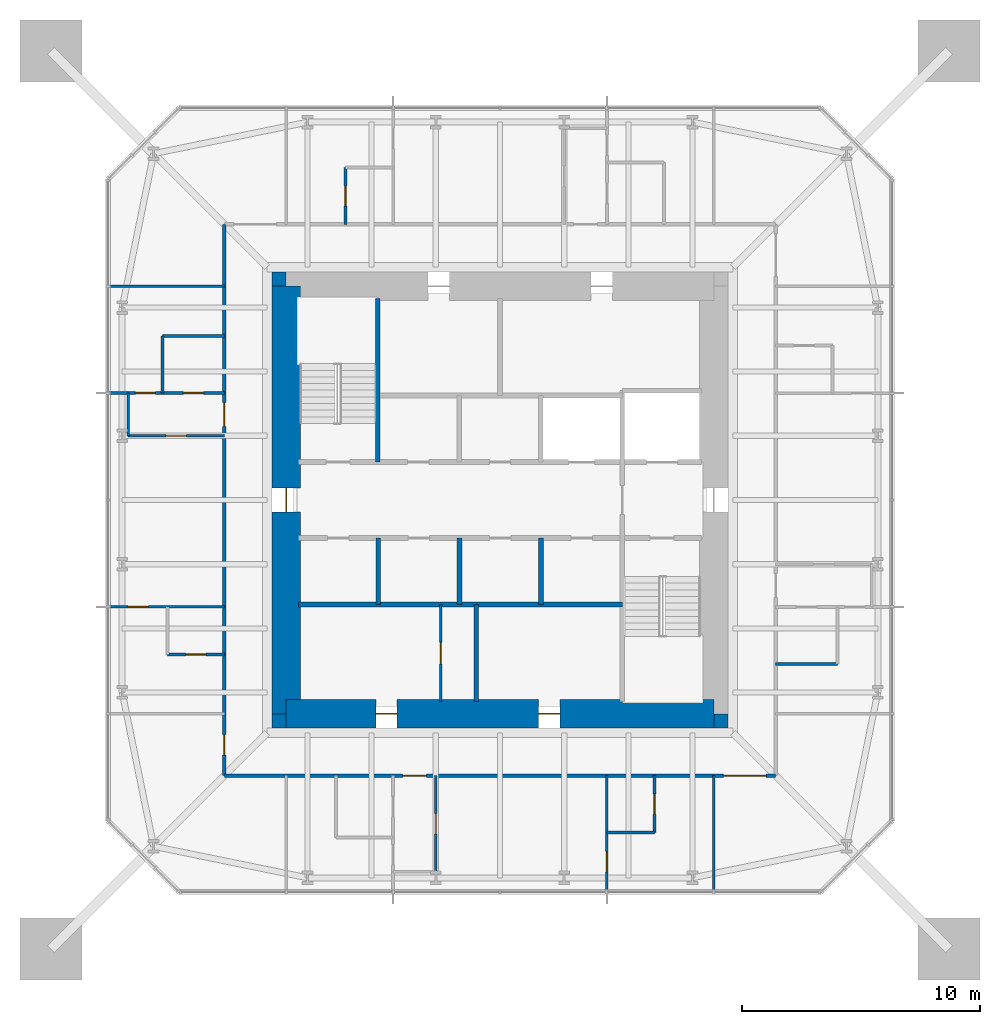
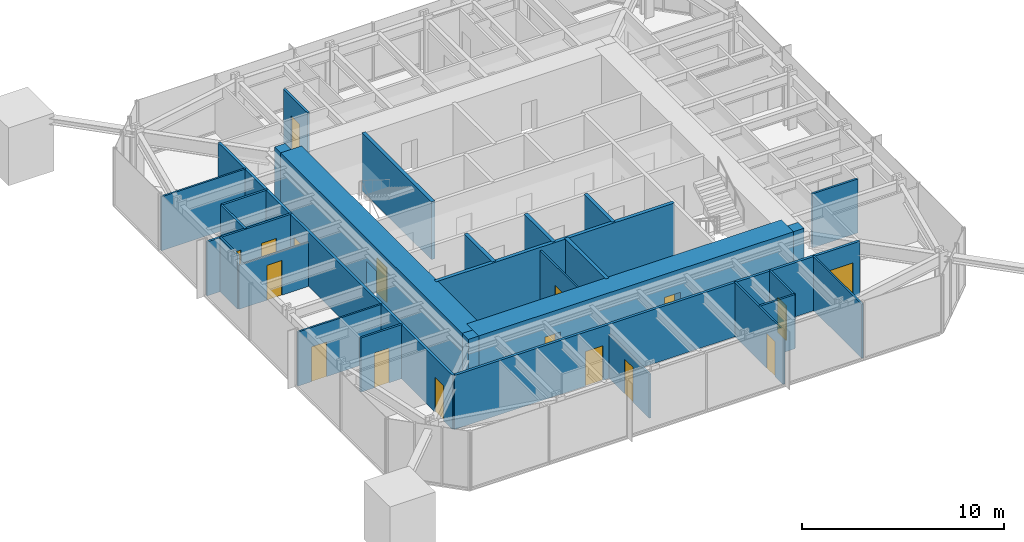
# One storey, part 6 of 9: 29 walls, 17 doors, 17 openings.
"""IFC4 building model written with IfcOpenShell, lengths in metres."""

from ifc_helpers import new_model, si_unit, direction, frame, frame_2d, origin, place, context, subcontext, project, spatial, rectangle, extrude, material, layer, layer_set, type_object, element, fill, save


model = new_model("IFC4")

# Units and contexts
model_context = context("Model", 3, precision=1e-05, world=origin(), true_north=direction((0.0, 1.0)))
body_context = subcontext(model_context, "Body", "Model", "MODEL_VIEW")
ifc_project = project(units=[si_unit("LENGTHUNIT", "METRE"), si_unit("AREAUNIT", "SQUARE_METRE"), si_unit("VOLUMEUNIT", "CUBIC_METRE"), si_unit("PLANEANGLEUNIT", "RADIAN"), si_unit("MASSUNIT", "GRAM", prefix="KILO")], contexts=[model_context])

# Site, building, storey
site_placement = place(None, origin())
site = spatial("IfcSite", under=ifc_project, at=site_placement, CompositionType="ELEMENT")
building_placement = place(site_placement, origin())
building = spatial("IfcBuilding", under=site, at=building_placement, Name="Iwan Alto Co-Living Towers", CompositionType="ELEMENT")
storey_placement = place(building_placement, frame((0.0, 0.0, 243.0)))
storey = spatial("IfcBuildingStorey", under=building, at=storey_placement, Name="L66", CompositionType="ELEMENT", Elevation=243.0)

# Wall, openings, doors
ifc_material_1 = material(Name="Gypsum board")
ifc_layer_1 = layer(ifc_material_1, 0.02490234375, Name="Board", Category="Finish")
ifc_material_2 = material(Name="Steel ASTM A1003 ST33H cold-formed studs", Category="steel")
ifc_layer_2 = layer(ifc_material_2, 0.10009765625, Name="Studs", Category="Framing")
ifc_layer_3 = layer(ifc_material_1, 0.02490234375, Name="Board", Category="Finish")
ifc_layer_set_1 = layer_set([ifc_layer_1, ifc_layer_2, ifc_layer_3], Name="CORRIDOR WALL 150")
wall_type_1 = type_object("IfcWallType", Name="CORRIDOR WALL 150", PredefinedType="PARTITIONING", material=ifc_layer_set_1)
wall_1_placement = place(storey_placement, frame((-11.60009765625, -11.60009765625, 0.0), z_axis=(0.0, 0.0, 1.0), x_axis=(1.0, 0.0, 0.0)))
wall_1 = element("IfcWall", 1, at=wall_1_placement, inside=storey, type_object=wall_type_1, Name="Partition L66", PredefinedType="PARTITIONING", context=body_context, shape_type="SweptSolid", body=[
    extrude(rectangle(XDim=23.2001953125, YDim=0.14990234375, at=frame_2d((11.60009765625, 0.0))), origin(), (0.0, 0.0, 1.0), 3.27001953125),
])
opening_1_placement = place(wall_1_placement, frame((7.5, 0.0, 0.0)))
opening_1 = element("IfcOpeningElement", 2, at=opening_1_placement, cuts=wall_1, Name="Opening D3", PredefinedType="OPENING", context=body_context, shape_type="SweptSolid", body=[
    extrude(rectangle(XDim=1.0, YDim=2.10009765625, at=frame_2d((0.5, 1.050048828125))), frame((0.0, 0.0849609375, 0.0), z_axis=(0.0, -1.0, 0.0), x_axis=(1.0, 0.0, 0.0)), (0.0, 0.0, 1.0), 0.169921875),
])
opening_2_placement = place(wall_1_placement, frame((21.0, 0.0, 0.0)))
opening_2 = element("IfcOpeningElement", 3, at=opening_2_placement, cuts=wall_1, Name="Opening D9", PredefinedType="OPENING", context=body_context, shape_type="SweptSolid", body=[
    extrude(rectangle(XDim=1.800048828125, YDim=2.10009765625, at=frame_2d((0.89990234375, 1.050048828125))), frame((0.0, 0.0849609375, 0.0), z_axis=(0.0, -1.0, 0.0), x_axis=(1.0, 0.0, 0.0)), (0.0, 0.0, 1.0), 0.169921875),
])
ifc_material_3 = material(Name="Steel frame with timber leaf", Category="steel")
door_type_1 = type_object("IfcDoorType", Name="FLAT ENTRANCE DOOR FD30S 1000X2100", OperationType="SINGLE_SWING_LEFT", PredefinedType="DOOR", material=ifc_material_3)
door_1_placement = place(opening_1_placement, frame((1.0, 0.0, 0.0), z_axis=(0.0, 0.0, 1.0), x_axis=(-1.0, 0.0, 0.0)))
door_1 = element("IfcDoor", 4, at=door_1_placement, inside=storey, type_object=door_type_1, Name="Apartment foyer door L66", OperationType="SINGLE_SWING_RIGHT", OverallHeight=2.10009765625, OverallWidth=1.0, PredefinedType="DOOR", context=body_context, shape_type="SweptSolid", body=[
    extrude(rectangle(XDim=1.0, YDim=2.10009765625, at=frame_2d((0.5, 1.050048828125))), frame((0.0, 0.02490234375, 0.0), z_axis=(0.0, -1.0, 0.0), x_axis=(1.0, 0.0, 0.0)), (0.0, 0.0, 1.0), 0.050048828125),
])
fill(opening_1, door_1)
ifc_material_4 = material(Name="Steel frame with timber leaf", Category="steel")
door_type_2 = type_object("IfcDoorType", Name="LOUNGE DOOR FD30S 1800X2100", OperationType="DOUBLE_DOOR_SINGLE_SWING", PredefinedType="DOOR", material=ifc_material_4)
door_2_placement = place(opening_2_placement, frame((1.800048828125, 0.0, 0.0), z_axis=(0.0, 0.0, 1.0), x_axis=(-1.0, 0.0, 0.0)))
door_2 = element("IfcDoor", 5, at=door_2_placement, inside=storey, type_object=door_type_2, Name="Courtyard lounge door L66", OperationType="DOUBLE_DOOR_SINGLE_SWING", OverallHeight=2.10009765625, OverallWidth=1.800048828125, PredefinedType="DOOR", context=body_context, shape_type="SweptSolid", body=[
    extrude(rectangle(XDim=1.800048828125, YDim=2.10009765625, at=frame_2d((0.89990234375, 1.050048828125))), frame((0.0, 0.02490234375, 0.0), z_axis=(0.0, -1.0, 0.0), x_axis=(1.0, 0.0, 0.0)), (0.0, 0.0, 1.0), 0.050048828125),
])
fill(opening_2, door_2)

wall_2_placement = place(storey_placement, frame((-11.60009765625, -11.60009765625, 0.0), z_axis=(0.0, 0.0, 1.0), x_axis=(0.0, 1.0, 0.0)))
wall_2 = element("IfcWall", 6, at=wall_2_placement, inside=storey, type_object=wall_type_1, Name="Partition L66", PredefinedType="PARTITIONING", context=body_context, shape_type="SweptSolid", body=[
    extrude(rectangle(XDim=23.2001953125, YDim=0.14990234375, at=frame_2d((11.60009765625, 0.0))), origin(), (0.0, 0.0, 1.0), 3.27001953125),
])
opening_3_placement = place(wall_2_placement, frame((14.699951171875, 0.0, 0.0)))
opening_3 = element("IfcOpeningElement", 7, at=opening_3_placement, cuts=wall_2, Name="Opening D3", PredefinedType="OPENING", context=body_context, shape_type="SweptSolid", body=[
    extrude(rectangle(XDim=1.0, YDim=2.10009765625, at=frame_2d((0.5, 1.050048828125))), frame((0.0, 0.0849609375, 0.0), z_axis=(0.0, -1.0, 0.0), x_axis=(1.0, 0.0, 0.0)), (0.0, 0.0, 1.0), 0.169921875),
])
opening_4_placement = place(wall_2_placement, frame((0.875, 0.0, 0.0)))
opening_4 = element("IfcOpeningElement", 8, at=opening_4_placement, cuts=wall_2, Name="Opening D2", PredefinedType="OPENING", context=body_context, shape_type="SweptSolid", body=[
    extrude(rectangle(XDim=0.85009765625, YDim=2.10009765625, at=frame_2d((0.425048828125, 1.050048828125))), frame((0.0, 0.0849609375, 0.0), z_axis=(0.0, -1.0, 0.0), x_axis=(1.0, 0.0, 0.0)), (0.0, 0.0, 1.0), 0.169921875),
])
door_3_placement = place(opening_3_placement, origin())
door_3 = element("IfcDoor", 9, at=door_3_placement, inside=storey, type_object=door_type_1, Name="Apartment foyer door L66", OperationType="SINGLE_SWING_LEFT", OverallHeight=2.10009765625, OverallWidth=1.0, PredefinedType="DOOR", context=body_context, shape_type="SweptSolid", body=[
    extrude(rectangle(XDim=1.0, YDim=2.10009765625, at=frame_2d((0.5, 1.050048828125))), frame((0.0, 0.02490234375, 0.0), z_axis=(0.0, -1.0, 0.0), x_axis=(1.0, 0.0, 0.0)), (0.0, 0.0, 1.0), 0.050048828125),
])
fill(opening_3, door_3)
ifc_material_5 = material(Name="Timber leaf in steel frame", Category="steel")
door_type_3 = type_object("IfcDoorType", Name="ROOM DOOR 850X2100", OperationType="SINGLE_SWING_LEFT", PredefinedType="DOOR", material=ifc_material_5)
door_4_placement = place(opening_4_placement, origin())
door_4 = element("IfcDoor", 10, at=door_4_placement, inside=storey, type_object=door_type_3, Name="Shared kitchen and lounge door L66", OperationType="SINGLE_SWING_RIGHT", OverallHeight=2.10009765625, OverallWidth=0.85009765625, PredefinedType="DOOR", context=body_context, shape_type="SweptSolid", body=[
    extrude(rectangle(XDim=0.85009765625, YDim=2.10009765625, at=frame_2d((0.425048828125, 1.050048828125))), frame((0.0, 0.02490234375, 0.0), z_axis=(0.0, -1.0, 0.0), x_axis=(1.0, 0.0, 0.0)), (0.0, 0.0, 1.0), 0.050048828125),
])
fill(opening_4, door_4)

# Wall, opening, door
ifc_layer_4 = layer(ifc_material_1, 0.012451171875, Name="Board", Category="Finish")
ifc_layer_5 = layer(ifc_material_2, 0.074951171875, Name="Studs", Category="Framing")
ifc_layer_6 = layer(ifc_material_1, 0.012451171875, Name="Board", Category="Finish")
ifc_layer_set_2 = layer_set([ifc_layer_4, ifc_layer_5, ifc_layer_6], Name="PARTITION 100")
wall_type_2 = type_object("IfcWallType", Name="PARTITION 100", PredefinedType="PARTITIONING", material=ifc_layer_set_2)
wall_3_placement = place(storey_placement, frame((-16.43994140625, -4.5, 0.0), z_axis=(0.0, 0.0, 1.0), x_axis=(1.0, 0.0, 0.0)))
wall_3 = element("IfcWall", 11, at=wall_3_placement, inside=storey, type_object=wall_type_2, Name="Partition L66", PredefinedType="PARTITIONING", context=body_context, shape_type="SweptSolid", body=[
    extrude(rectangle(XDim=4.83984375, YDim=0.10009765625, at=frame_2d((2.419921875, 0.0))), origin(), (0.0, 0.0, 1.0), 3.27001953125),
])
opening_5_placement = place(wall_3_placement, frame((0.794921875, 0.0, 0.0)))
opening_5 = element("IfcOpeningElement", 12, at=opening_5_placement, cuts=wall_3, Name="Opening D2", PredefinedType="OPENING", context=body_context, shape_type="SweptSolid", body=[
    extrude(rectangle(XDim=0.85009765625, YDim=2.10009765625, at=frame_2d((0.425048828125, 1.050048828125))), frame((0.0, 0.06005859375, 0.0), z_axis=(0.0, -1.0, 0.0), x_axis=(1.0, 0.0, 0.0)), (0.0, 0.0, 1.0), 0.1201171875),
])
door_5_placement = place(opening_5_placement, origin())
door_5 = element("IfcDoor", 13, at=door_5_placement, inside=storey, type_object=door_type_3, Name="Bedroom door L66", OperationType="SINGLE_SWING_LEFT", OverallHeight=2.10009765625, OverallWidth=0.85009765625, PredefinedType="DOOR", context=body_context, shape_type="SweptSolid", body=[
    extrude(rectangle(XDim=0.85009765625, YDim=2.10009765625, at=frame_2d((0.425048828125, 1.050048828125))), frame((0.0, 0.02490234375, 0.0), z_axis=(0.0, -1.0, 0.0), x_axis=(1.0, 0.0, 0.0)), (0.0, 0.0, 1.0), 0.050048828125),
])
fill(opening_5, door_5)

wall_4_placement = place(storey_placement, frame((-15.64990234375, 2.699951171875, 0.0), z_axis=(0.0, 0.0, 1.0), x_axis=(1.0, 0.0, 0.0)))
wall_4 = element("IfcWall", 14, at=wall_4_placement, inside=storey, type_object=wall_type_2, Name="Partition L66", PredefinedType="PARTITIONING", context=body_context, shape_type="SweptSolid", body=[
    extrude(rectangle(XDim=4.0498046875, YDim=0.10009765625, at=frame_2d((2.02490234375, 0.0))), origin(), (0.0, 0.0, 1.0), 2.662841796875),
])
opening_6_placement = place(wall_4_placement, frame((1.60009765625, 0.0, 0.0)))
opening_6 = element("IfcOpeningElement", 15, at=opening_6_placement, cuts=wall_4, Name="Opening D2", PredefinedType="OPENING", context=body_context, shape_type="SweptSolid", body=[
    extrude(rectangle(XDim=0.85009765625, YDim=2.10009765625, at=frame_2d((0.425048828125, 1.050048828125))), frame((0.0, 0.06005859375, 0.0), z_axis=(0.0, -1.0, 0.0), x_axis=(1.0, 0.0, 0.0)), (0.0, 0.0, 1.0), 0.1201171875),
])
door_6_placement = place(opening_6_placement, frame((0.85009765625, 0.0, 0.0), z_axis=(0.0, 0.0, 1.0), x_axis=(-1.0, 0.0, 0.0)))
door_6 = element("IfcDoor", 16, at=door_6_placement, inside=storey, type_object=door_type_3, Name="Apartment foyer door L66", OperationType="SINGLE_SWING_RIGHT", OverallHeight=2.10009765625, OverallWidth=0.85009765625, PredefinedType="DOOR", context=body_context, shape_type="SweptSolid", body=[
    extrude(rectangle(XDim=0.85009765625, YDim=2.10009765625, at=frame_2d((0.425048828125, 1.050048828125))), frame((0.0, 0.02490234375, 0.0), z_axis=(0.0, -1.0, 0.0), x_axis=(1.0, 0.0, 0.0)), (0.0, 0.0, 1.0), 0.050048828125),
])
fill(opening_6, door_6)

# Walls
for number, where, z_axis, x_axis, name in (
    (17, (-16.43994140625, 9.0, 0.0), (0.0, 0.0, 1.0), (1.0, 0.0, 0.0), "Partition L66"),
    (18, (9.0, -16.43994140625, 0.0), (0.0, 0.0, 1.0), (0.0, 1.0, 0.0), "Partition L66"),
):
    element("IfcWall", number, at=place(storey_placement, frame(where, z_axis=z_axis, x_axis=x_axis)), inside=storey, type_object=wall_type_2, Name=name, PredefinedType="PARTITIONING", context=body_context, shape_type="SweptSolid", body=[
        extrude(rectangle(XDim=4.83984375, YDim=0.10009765625, at=frame_2d((2.419921875, 0.0))), origin(), (0.0, 0.0, 1.0), 3.27001953125),
    ])

# Wall, opening, door
wall_5_placement = place(storey_placement, frame((4.5, -16.43994140625, 0.0), z_axis=(0.0, 0.0, 1.0), x_axis=(0.0, 1.0, 0.0)))
wall_5 = element("IfcWall", 19, at=wall_5_placement, inside=storey, type_object=wall_type_2, Name="Partition L66", PredefinedType="PARTITIONING", context=body_context, shape_type="SweptSolid", body=[
    extrude(rectangle(XDim=4.83984375, YDim=0.10009765625, at=frame_2d((2.419921875, 0.0))), origin(), (0.0, 0.0, 1.0), 3.27001953125),
])
opening_7_placement = place(wall_5_placement, frame((0.794921875, 0.0, 0.0)))
opening_7 = element("IfcOpeningElement", 20, at=opening_7_placement, cuts=wall_5, Name="Opening D2", PredefinedType="OPENING", context=body_context, shape_type="SweptSolid", body=[
    extrude(rectangle(XDim=0.85009765625, YDim=2.10009765625, at=frame_2d((0.425048828125, 1.050048828125))), frame((0.0, 0.06005859375, 0.0), z_axis=(0.0, -1.0, 0.0), x_axis=(1.0, 0.0, 0.0)), (0.0, 0.0, 1.0), 0.1201171875),
])
door_7_placement = place(opening_7_placement, origin())
door_7 = element("IfcDoor", 21, at=door_7_placement, inside=storey, type_object=door_type_3, Name="Bedroom door L66", OperationType="SINGLE_SWING_LEFT", OverallHeight=2.10009765625, OverallWidth=0.85009765625, PredefinedType="DOOR", context=body_context, shape_type="SweptSolid", body=[
    extrude(rectangle(XDim=0.85009765625, YDim=2.10009765625, at=frame_2d((0.425048828125, 1.050048828125))), frame((0.0, 0.02490234375, 0.0), z_axis=(0.0, -1.0, 0.0), x_axis=(1.0, 0.0, 0.0)), (0.0, 0.0, 1.0), 0.050048828125),
])
fill(opening_7, door_7)

wall_6_placement = place(storey_placement, frame((-2.5, -8.489990234375, 0.0), z_axis=(0.0, 0.0, 1.0), x_axis=(0.0, 1.0, 0.0)))
wall_6 = element("IfcWall", 22, at=wall_6_placement, inside=storey, type_object=wall_type_2, Name="Partition L66", PredefinedType="PARTITIONING", context=body_context, shape_type="SweptSolid", body=[
    extrude(rectangle(XDim=4.090087890625, YDim=0.10009765625, at=frame_2d((2.044921875, 0.0))), origin(), (0.0, 0.0, 1.0), 3.300048828125),
])
opening_8_placement = place(wall_6_placement, frame((1.594970703125, 0.0, 0.0)))
opening_8 = element("IfcOpeningElement", 23, at=opening_8_placement, cuts=wall_6, Name="Opening D16", PredefinedType="OPENING", context=body_context, shape_type="SweptSolid", body=[
    extrude(rectangle(XDim=0.89990234375, YDim=2.10009765625, at=frame_2d((0.449951171875, 1.050048828125))), frame((0.0, 0.06005859375, 0.0), z_axis=(0.0, -1.0, 0.0), x_axis=(1.0, 0.0, 0.0)), (0.0, 0.0, 1.0), 0.1201171875),
])
ifc_material_6 = material(Name="Timber leaf in steel frame", Category="steel")
door_type_4 = type_object("IfcDoorType", Name="CUPBOARD SLIDING DOOR 900X2100", OperationType="SLIDING_TO_LEFT", PredefinedType="DOOR", material=ifc_material_6)
door_8_placement = place(opening_8_placement, origin())
door_8 = element("IfcDoor", 24, at=door_8_placement, inside=storey, type_object=door_type_4, Name="Recycling store door L66", OperationType="SLIDING_TO_LEFT", OverallHeight=2.10009765625, OverallWidth=0.89990234375, PredefinedType="DOOR", context=body_context, shape_type="SweptSolid", body=[
    extrude(rectangle(XDim=0.89990234375, YDim=2.10009765625, at=frame_2d((0.449951171875, 1.050048828125))), frame((0.0, 0.02490234375, 0.0), z_axis=(0.0, -1.0, 0.0), x_axis=(1.0, 0.0, 0.0)), (0.0, 0.0, 1.0), 0.050048828125),
])
fill(opening_8, door_8)

wall_7_placement = place(storey_placement, frame((-2.699951171875, -15.64990234375, 0.0), z_axis=(0.0, 0.0, 1.0), x_axis=(0.0, 1.0, 0.0)))
wall_7 = element("IfcWall", 25, at=wall_7_placement, inside=storey, type_object=wall_type_2, Name="Partition L66", PredefinedType="PARTITIONING", context=body_context, shape_type="SweptSolid", body=[
    extrude(rectangle(XDim=4.0498046875, YDim=0.10009765625, at=frame_2d((2.02490234375, 0.0))), origin(), (0.0, 0.0, 1.0), 2.662841796875),
])
opening_9_placement = place(wall_7_placement, frame((1.60009765625, 0.0, 0.0)))
opening_9 = element("IfcOpeningElement", 26, at=opening_9_placement, cuts=wall_7, Name="Opening D2", PredefinedType="OPENING", context=body_context, shape_type="SweptSolid", body=[
    extrude(rectangle(XDim=0.85009765625, YDim=2.10009765625, at=frame_2d((0.425048828125, 1.050048828125))), frame((0.0, 0.06005859375, 0.0), z_axis=(0.0, -1.0, 0.0), x_axis=(1.0, 0.0, 0.0)), (0.0, 0.0, 1.0), 0.1201171875),
])
door_9_placement = place(opening_9_placement, frame((0.85009765625, 0.0, 0.0), z_axis=(0.0, 0.0, 1.0), x_axis=(-1.0, 0.0, 0.0)))
door_9 = element("IfcDoor", 27, at=door_9_placement, inside=storey, type_object=door_type_3, Name="Apartment foyer door L66", OperationType="SINGLE_SWING_RIGHT", OverallHeight=2.10009765625, OverallWidth=0.85009765625, PredefinedType="DOOR", context=body_context, shape_type="SweptSolid", body=[
    extrude(rectangle(XDim=0.85009765625, YDim=2.10009765625, at=frame_2d((0.425048828125, 1.050048828125))), frame((0.0, 0.02490234375, 0.0), z_axis=(0.0, -1.0, 0.0), x_axis=(1.0, 0.0, 0.0)), (0.0, 0.0, 1.0), 0.050048828125),
])
fill(opening_9, door_9)

# Walls
wall_8_placement = place(storey_placement, frame((-15.64990234375, 2.699951171875, 0.0), z_axis=(0.0, 0.0, 1.0), x_axis=(0.0, 1.0, 0.0)))
element("IfcWall", 28, at=wall_8_placement, inside=storey, type_object=wall_type_2, Name="Partition L66", PredefinedType="PARTITIONING", context=body_context, shape_type="SweptSolid", body=[
    extrude(rectangle(XDim=1.800048828125, YDim=0.10009765625, at=frame_2d((0.89990234375, 0.0))), origin(), (0.0, 0.0, 1.0), 3.27001953125),
])
ifc_material_7 = material(Name="Concrete f'c 70 MPa", Category="concrete")
ifc_layer_7 = layer(ifc_material_7, 0.199951171875)
ifc_layer_set_3 = layer_set([ifc_layer_7], Name="SHAFT WALL 200")
wall_type_3 = type_object("IfcWallType", Name="SHAFT WALL 200", PredefinedType="SOLIDWALL", material=ifc_layer_set_3)
wall_9_placement = place(storey_placement, frame((-8.489990234375, -4.39990234375, 0.0), z_axis=(0.0, 0.0, 1.0), x_axis=(1.0, 0.0, 0.0)))
element("IfcWall", 29, at=wall_9_placement, inside=storey, type_object=wall_type_3, Name="Shaft wall L66", PredefinedType="SOLIDWALL", context=body_context, shape_type="SweptSolid", body=[
    extrude(rectangle(XDim=13.639892578125, YDim=0.199951171875, at=frame_2d((6.81982421875, 0.0))), origin(), (0.0, 0.0, 1.0), 3.5),
])
wall_10_placement = place(storey_placement, frame((1.72509765625, -4.39990234375, 0.0), z_axis=(0.0, 0.0, 1.0), x_axis=(0.0, 1.0, 0.0)))
element("IfcWall", 30, at=wall_10_placement, inside=storey, type_object=wall_type_3, Name="Shaft wall L66", PredefinedType="SOLIDWALL", context=body_context, shape_type="SweptSolid", body=[
    extrude(rectangle(XDim=2.7998046875, YDim=0.199951171875, at=frame_2d((1.39990234375, 0.0))), origin(), (0.0, 0.0, 1.0), 3.5),
])
wall_11_placement = place(storey_placement, frame((-1.0, -8.489990234375, 0.0), z_axis=(0.0, 0.0, 1.0), x_axis=(0.0, 1.0, 0.0)))
element("IfcWall", 31, at=wall_11_placement, inside=storey, type_object=wall_type_3, Name="Shaft wall L66", PredefinedType="SOLIDWALL", context=body_context, shape_type="SweptSolid", body=[
    extrude(rectangle(XDim=4.090087890625, YDim=0.199951171875, at=frame_2d((2.044921875, 0.0))), origin(), (0.0, 0.0, 1.0), 3.5),
])
for number, where, z_axis, x_axis, name in (
    (32, (-1.699951171875, -4.39990234375, 0.0), (0.0, 0.0, 1.0), (0.0, 1.0, 0.0), "Shaft wall L66"),
    (33, (-5.125, -4.39990234375, 0.0), (0.0, 0.0, 1.0), (0.0, 1.0, 0.0), "Shaft wall L66"),
):
    element("IfcWall", number, at=place(storey_placement, frame(where, z_axis=z_axis, x_axis=x_axis)), inside=storey, type_object=wall_type_3, Name=name, PredefinedType="SOLIDWALL", context=body_context, shape_type="SweptSolid", body=[
        extrude(rectangle(XDim=2.7998046875, YDim=0.199951171875, at=frame_2d((1.39990234375, 0.0))), origin(), (0.0, 0.0, 1.0), 3.5),
    ])
wall_12_placement = place(storey_placement, frame((-5.14990234375, 1.60009765625, 0.0), z_axis=(0.0, 0.0, 1.0), x_axis=(0.0, 1.0, 0.0)))
element("IfcWall", 34, at=wall_12_placement, inside=storey, type_object=wall_type_3, Name="Shaft wall L66", PredefinedType="SOLIDWALL", context=body_context, shape_type="SweptSolid", body=[
    extrude(rectangle(XDim=6.889892578125, YDim=0.199951171875, at=frame_2d((3.44482421875, 0.0))), origin(), (0.0, 0.0, 1.0), 3.5),
])
ifc_material_8 = material(Name="Concrete f'c 70 MPa", Category="concrete")
ifc_layer_8 = layer(ifc_material_8, 0.60009765625)
ifc_layer_set_4 = layer_set([ifc_layer_8], Name="T1 CORE CORNER FILL 600")
wall_type_4 = type_object("IfcWallType", Name="T1 CORE CORNER FILL 600", PredefinedType="SOLIDWALL", material=ifc_layer_set_4)
for number, where, z_axis, x_axis, name in (
    (35, (-9.60009765625, -9.300048828125, 0.0), (0.0, 0.0, 1.0), (1.0, 0.0, 0.0), "T1 core corner SW L66"),
    (36, (9.0, -9.300048828125, 0.0), (0.0, 0.0, 1.0), (1.0, 0.0, 0.0), "T1 core corner SE L66"),
    (37, (-9.60009765625, 9.300048828125, 0.0), (0.0, 0.0, 1.0), (1.0, 0.0, 0.0), "T1 core corner NW L66"),
):
    element("IfcWall", number, at=place(storey_placement, frame(where, z_axis=z_axis, x_axis=x_axis)), inside=storey, type_object=wall_type_4, Name=name, PredefinedType="SOLIDWALL", context=body_context, shape_type="SweptSolid", body=[
        extrude(rectangle(XDim=0.60009765625, YDim=0.60009765625, at=frame_2d((0.300048828125, 0.0))), origin(), (0.0, 0.0, 1.0), 3.5),
    ])

# Wall, openings, doors
ifc_material_9 = material(Name="Concrete f'c 70 MPa", Category="concrete")
ifc_layer_9 = layer(ifc_material_9, 1.199951171875)
ifc_layer_set_5 = layer_set([ifc_layer_9], Name="T1 CORE WALL 1200")
wall_type_5 = type_object("IfcWallType", Name="T1 CORE WALL 1200", PredefinedType="SHEAR", material=ifc_layer_set_5)
wall_13_placement = place(storey_placement, frame((-9.0, -9.0, 0.0), z_axis=(0.0, 0.0, 1.0), x_axis=(1.0, 0.0, 0.0)))
wall_13 = element("IfcWall", 38, at=wall_13_placement, inside=storey, type_object=wall_type_5, Name="T1 core wall S L66", PredefinedType="SHEAR", context=body_context, shape_type="SweptSolid", body=[
    extrude(rectangle(XDim=18.0, YDim=1.199951171875, at=frame_2d((9.0, 0.0))), origin(), (0.0, 0.0, 1.0), 3.5),
])
opening_10_placement = place(wall_13_placement, frame((3.77490234375, 0.0, 0.0)))
opening_10 = element("IfcOpeningElement", 39, at=opening_10_placement, cuts=wall_13, Name="Opening D8", PredefinedType="OPENING", context=body_context, shape_type="SweptSolid", body=[
    extrude(rectangle(XDim=0.89990234375, YDim=2.10009765625, at=frame_2d((0.449951171875, 1.050048828125))), frame((0.0, 0.60986328125, 0.0), z_axis=(0.0, -1.0, 0.0), x_axis=(1.0, 0.0, 0.0)), (0.0, 0.0, 1.0), 1.219970703125),
])
opening_11_placement = place(wall_13_placement, frame((10.625, 0.0, 0.0)))
opening_11 = element("IfcOpeningElement", 40, at=opening_11_placement, cuts=wall_13, Name="Opening D8", PredefinedType="OPENING", context=body_context, shape_type="SweptSolid", body=[
    extrude(rectangle(XDim=0.89990234375, YDim=2.10009765625, at=frame_2d((0.449951171875, 1.050048828125))), frame((0.0, 0.60986328125, 0.0), z_axis=(0.0, -1.0, 0.0), x_axis=(1.0, 0.0, 0.0)), (0.0, 0.0, 1.0), 1.219970703125),
])
ifc_material_10 = material(Name="Steel frame with timber leaf", Category="steel")
door_type_5 = type_object("IfcDoorType", Name="RISER DOOR FD120 900X2100", OperationType="SINGLE_SWING_LEFT", PredefinedType="DOOR", material=ifc_material_10)
door_10_placement = place(opening_10_placement, origin())
door_10 = element("IfcDoor", 41, at=door_10_placement, inside=storey, type_object=door_type_5, Name="Refuse room core door L66", OperationType="SINGLE_SWING_RIGHT", OverallHeight=2.10009765625, OverallWidth=0.89990234375, PredefinedType="DOOR", context=body_context, shape_type="SweptSolid", body=[
    extrude(rectangle(XDim=0.89990234375, YDim=2.10009765625, at=frame_2d((0.449951171875, 1.050048828125))), frame((0.0, 0.02490234375, 0.0), z_axis=(0.0, -1.0, 0.0), x_axis=(1.0, 0.0, 0.0)), (0.0, 0.0, 1.0), 0.050048828125),
])
fill(opening_10, door_10)
door_11_placement = place(opening_11_placement, origin())
door_11 = element("IfcDoor", 42, at=door_11_placement, inside=storey, type_object=door_type_5, Name="Telecom riser core door L66", OperationType="SINGLE_SWING_LEFT", OverallHeight=2.10009765625, OverallWidth=0.89990234375, PredefinedType="DOOR", context=body_context, shape_type="SweptSolid", body=[
    extrude(rectangle(XDim=0.89990234375, YDim=2.10009765625, at=frame_2d((0.449951171875, 1.050048828125))), frame((0.0, 0.02490234375, 0.0), z_axis=(0.0, -1.0, 0.0), x_axis=(1.0, 0.0, 0.0)), (0.0, 0.0, 1.0), 0.050048828125),
])
fill(opening_11, door_11)

# Wall, opening, door
wall_14_placement = place(storey_placement, frame((-9.0, 9.0, 0.0), z_axis=(0.0, 0.0, 1.0), x_axis=(0.0, -1.0, 0.0)))
wall_14 = element("IfcWall", 43, at=wall_14_placement, inside=storey, type_object=wall_type_5, Name="T1 core wall W L66", PredefinedType="SHEAR", context=body_context, shape_type="SweptSolid", body=[
    extrude(rectangle(XDim=18.0, YDim=1.199951171875, at=frame_2d((9.0, 0.0))), origin(), (0.0, 0.0, 1.0), 3.5),
])
opening_12_placement = place(wall_14_placement, frame((8.5, 0.0, 0.0)))
opening_12 = element("IfcOpeningElement", 44, at=opening_12_placement, cuts=wall_14, Name="Opening D7", PredefinedType="OPENING", context=body_context, shape_type="SweptSolid", body=[
    extrude(rectangle(XDim=1.0, YDim=2.10009765625, at=frame_2d((0.5, 1.050048828125))), frame((0.0, 0.60986328125, 0.0), z_axis=(0.0, -1.0, 0.0), x_axis=(1.0, 0.0, 0.0)), (0.0, 0.0, 1.0), 1.219970703125),
])
ifc_material_11 = material(Name="Steel frame with timber leaf", Category="steel")
door_type_6 = type_object("IfcDoorType", Name="CORE DOOR FD120S 1000X2100", OperationType="SINGLE_SWING_LEFT", PredefinedType="DOOR", material=ifc_material_11)
door_12_placement = place(opening_12_placement, origin())
door_12 = element("IfcDoor", 45, at=door_12_placement, inside=storey, type_object=door_type_6, Name="Lift lobby core door L66", OperationType="SINGLE_SWING_RIGHT", OverallHeight=2.10009765625, OverallWidth=1.0, PredefinedType="DOOR", context=body_context, shape_type="SweptSolid", body=[
    extrude(rectangle(XDim=1.0, YDim=2.10009765625, at=frame_2d((0.5, 1.050048828125))), frame((0.0, 0.02490234375, 0.0), z_axis=(0.0, -1.0, 0.0), x_axis=(1.0, 0.0, 0.0)), (0.0, 0.0, 1.0), 0.050048828125),
])
fill(opening_12, door_12)

# Walls
ifc_material_12 = material(Name="Cement board")
ifc_layer_10 = layer(ifc_material_12, 0.012451171875, Name="Board", Category="Finish")
ifc_layer_11 = layer(ifc_material_2, 0.094970703125, Name="Studs", Category="Framing")
ifc_layer_12 = layer(ifc_material_12, 0.012451171875, Name="Board", Category="Finish")
ifc_layer_set_6 = layer_set([ifc_layer_10, ifc_layer_11, ifc_layer_12], Name="WET AREA PARTITION 120")
wall_type_6 = type_object("IfcWallType", Name="WET AREA PARTITION 120", PredefinedType="PARTITIONING", material=ifc_layer_set_6)
wall_15_placement = place(storey_placement, frame((4.5, -14.0, 0.0), z_axis=(0.0, 0.0, 1.0), x_axis=(1.0, 0.0, 0.0)))
element("IfcWall", 46, at=wall_15_placement, inside=storey, type_object=wall_type_6, Name="Partition L66", PredefinedType="PARTITIONING", context=body_context, shape_type="SweptSolid", body=[
    extrude(rectangle(XDim=2.0, YDim=0.1201171875, at=frame_2d((1.0, 0.0))), origin(), (0.0, 0.0, 1.0), 3.27001953125),
])
wall_16_placement = place(storey_placement, frame((11.60009765625, -6.89990234375, 0.0), z_axis=(0.0, 0.0, 1.0), x_axis=(1.0, 0.0, 0.0)))
element("IfcWall", 47, at=wall_16_placement, inside=storey, type_object=wall_type_6, Name="Partition L66", PredefinedType="PARTITIONING", context=body_context, shape_type="SweptSolid", body=[
    extrude(rectangle(XDim=2.599853515625, YDim=0.1201171875, at=frame_2d((1.2998046875, 0.0))), origin(), (0.0, 0.0, 1.0), 3.27001953125),
])

# Wall, opening, door
wall_17_placement = place(storey_placement, frame((-14.0, -6.5, 0.0), z_axis=(0.0, 0.0, 1.0), x_axis=(1.0, 0.0, 0.0)))
wall_17 = element("IfcWall", 48, at=wall_17_placement, inside=storey, type_object=wall_type_6, Name="Partition L66", PredefinedType="PARTITIONING", context=body_context, shape_type="SweptSolid", body=[
    extrude(rectangle(XDim=2.39990234375, YDim=0.1201171875, at=frame_2d((1.199951171875, 0.0))), origin(), (0.0, 0.0, 1.0), 3.27001953125),
])
opening_13_placement = place(wall_17_placement, frame((0.77490234375, 0.0, 0.0)))
opening_13 = element("IfcOpeningElement", 49, at=opening_13_placement, cuts=wall_17, Name="Opening D2", PredefinedType="OPENING", context=body_context, shape_type="SweptSolid", body=[
    extrude(rectangle(XDim=0.85009765625, YDim=2.10009765625, at=frame_2d((0.425048828125, 1.050048828125))), frame((0.0, 0.070068359375, 0.0), z_axis=(0.0, -1.0, 0.0), x_axis=(1.0, 0.0, 0.0)), (0.0, 0.0, 1.0), 0.14013671875),
])
door_13_placement = place(opening_13_placement, frame((0.85009765625, 0.0, 0.0), z_axis=(0.0, 0.0, 1.0), x_axis=(-1.0, 0.0, 0.0)))
door_13 = element("IfcDoor", 50, at=door_13_placement, inside=storey, type_object=door_type_3, Name="En-suite shower room door L66", OperationType="SINGLE_SWING_LEFT", OverallHeight=2.10009765625, OverallWidth=0.85009765625, PredefinedType="DOOR", context=body_context, shape_type="SweptSolid", body=[
    extrude(rectangle(XDim=0.85009765625, YDim=2.10009765625, at=frame_2d((0.425048828125, 1.050048828125))), frame((0.0, 0.02490234375, 0.0), z_axis=(0.0, -1.0, 0.0), x_axis=(1.0, 0.0, 0.0)), (0.0, 0.0, 1.0), 0.050048828125),
])
fill(opening_13, door_13)

# Wall, openings, doors
wall_18_placement = place(storey_placement, frame((-16.43994140625, 4.5, 0.0), z_axis=(0.0, 0.0, 1.0), x_axis=(1.0, 0.0, 0.0)))
wall_18 = element("IfcWall", 51, at=wall_18_placement, inside=storey, type_object=wall_type_6, Name="Partition L66", PredefinedType="PARTITIONING", context=body_context, shape_type="SweptSolid", body=[
    extrude(rectangle(XDim=4.83984375, YDim=0.1201171875, at=frame_2d((2.419921875, 0.0))), origin(), (0.0, 0.0, 1.0), 3.27001953125),
])
opening_14_placement = place(wall_18_placement, frame((1.090087890625, 0.0, 0.0)))
opening_14 = element("IfcOpeningElement", 52, at=opening_14_placement, cuts=wall_18, Name="Opening D2", PredefinedType="OPENING", context=body_context, shape_type="SweptSolid", body=[
    extrude(rectangle(XDim=0.85009765625, YDim=2.10009765625, at=frame_2d((0.425048828125, 1.050048828125))), frame((0.0, 0.070068359375, 0.0), z_axis=(0.0, -1.0, 0.0), x_axis=(1.0, 0.0, 0.0)), (0.0, 0.0, 1.0), 0.14013671875),
])
opening_15_placement = place(wall_18_placement, frame((3.114990234375, 0.0, 0.0)))
opening_15 = element("IfcOpeningElement", 53, at=opening_15_placement, cuts=wall_18, Name="Opening D2", PredefinedType="OPENING", context=body_context, shape_type="SweptSolid", body=[
    extrude(rectangle(XDim=0.85009765625, YDim=2.10009765625, at=frame_2d((0.425048828125, 1.050048828125))), frame((0.0, 0.070068359375, 0.0), z_axis=(0.0, -1.0, 0.0), x_axis=(1.0, 0.0, 0.0)), (0.0, 0.0, 1.0), 0.14013671875),
])
door_14_placement = place(opening_14_placement, origin())
door_14 = element("IfcDoor", 54, at=door_14_placement, inside=storey, type_object=door_type_3, Name="Bedroom door L66", OperationType="SINGLE_SWING_RIGHT", OverallHeight=2.10009765625, OverallWidth=0.85009765625, PredefinedType="DOOR", context=body_context, shape_type="SweptSolid", body=[
    extrude(rectangle(XDim=0.85009765625, YDim=2.10009765625, at=frame_2d((0.425048828125, 1.050048828125))), frame((0.0, 0.02490234375, 0.0), z_axis=(0.0, -1.0, 0.0), x_axis=(1.0, 0.0, 0.0)), (0.0, 0.0, 1.0), 0.050048828125),
])
fill(opening_14, door_14)
door_15_placement = place(opening_15_placement, origin())
door_15 = element("IfcDoor", 55, at=door_15_placement, inside=storey, type_object=door_type_3, Name="Bathroom door L66", OperationType="SINGLE_SWING_LEFT", OverallHeight=2.10009765625, OverallWidth=0.85009765625, PredefinedType="DOOR", context=body_context, shape_type="SweptSolid", body=[
    extrude(rectangle(XDim=0.85009765625, YDim=2.10009765625, at=frame_2d((0.425048828125, 1.050048828125))), frame((0.0, 0.02490234375, 0.0), z_axis=(0.0, -1.0, 0.0), x_axis=(1.0, 0.0, 0.0)), (0.0, 0.0, 1.0), 0.050048828125),
])
fill(opening_15, door_15)

# Wall
wall_19_placement = place(storey_placement, frame((-14.199951171875, 6.89990234375, 0.0), z_axis=(0.0, 0.0, 1.0), x_axis=(1.0, 0.0, 0.0)))
element("IfcWall", 56, at=wall_19_placement, inside=storey, type_object=wall_type_6, Name="Partition L66", PredefinedType="PARTITIONING", context=body_context, shape_type="SweptSolid", body=[
    extrude(rectangle(XDim=2.599853515625, YDim=0.1201171875, at=frame_2d((1.2998046875, 0.0))), origin(), (0.0, 0.0, 1.0), 3.27001953125),
])

# Wall, opening, door
wall_20_placement = place(storey_placement, frame((6.5, -14.0, 0.0), z_axis=(0.0, 0.0, 1.0), x_axis=(0.0, 1.0, 0.0)))
wall_20 = element("IfcWall", 57, at=wall_20_placement, inside=storey, type_object=wall_type_6, Name="Partition L66", PredefinedType="PARTITIONING", context=body_context, shape_type="SweptSolid", body=[
    extrude(rectangle(XDim=2.39990234375, YDim=0.1201171875, at=frame_2d((1.199951171875, 0.0))), origin(), (0.0, 0.0, 1.0), 3.27001953125),
])
opening_16_placement = place(wall_20_placement, frame((0.77490234375, 0.0, 0.0)))
opening_16 = element("IfcOpeningElement", 58, at=opening_16_placement, cuts=wall_20, Name="Opening D2", PredefinedType="OPENING", context=body_context, shape_type="SweptSolid", body=[
    extrude(rectangle(XDim=0.85009765625, YDim=2.10009765625, at=frame_2d((0.425048828125, 1.050048828125))), frame((0.0, 0.070068359375, 0.0), z_axis=(0.0, -1.0, 0.0), x_axis=(1.0, 0.0, 0.0)), (0.0, 0.0, 1.0), 0.14013671875),
])
door_16_placement = place(opening_16_placement, frame((0.85009765625, 0.0, 0.0), z_axis=(0.0, 0.0, 1.0), x_axis=(-1.0, 0.0, 0.0)))
door_16 = element("IfcDoor", 59, at=door_16_placement, inside=storey, type_object=door_type_3, Name="En-suite shower room door L66", OperationType="SINGLE_SWING_LEFT", OverallHeight=2.10009765625, OverallWidth=0.85009765625, PredefinedType="DOOR", context=body_context, shape_type="SweptSolid", body=[
    extrude(rectangle(XDim=0.85009765625, YDim=2.10009765625, at=frame_2d((0.425048828125, 1.050048828125))), frame((0.0, 0.02490234375, 0.0), z_axis=(0.0, -1.0, 0.0), x_axis=(1.0, 0.0, 0.0)), (0.0, 0.0, 1.0), 0.050048828125),
])
fill(opening_16, door_16)

wall_21_placement = place(storey_placement, frame((-6.5, 11.60009765625, 0.0), z_axis=(0.0, 0.0, 1.0), x_axis=(0.0, 1.0, 0.0)))
wall_21 = element("IfcWall", 60, at=wall_21_placement, inside=storey, type_object=wall_type_6, Name="Partition L66", PredefinedType="PARTITIONING", context=body_context, shape_type="SweptSolid", body=[
    extrude(rectangle(XDim=2.39990234375, YDim=0.1201171875, at=frame_2d((1.199951171875, 0.0))), origin(), (0.0, 0.0, 1.0), 3.27001953125),
])
opening_17_placement = place(wall_21_placement, frame((0.77490234375, 0.0, 0.0)))
opening_17 = element("IfcOpeningElement", 61, at=opening_17_placement, cuts=wall_21, Name="Opening D2", PredefinedType="OPENING", context=body_context, shape_type="SweptSolid", body=[
    extrude(rectangle(XDim=0.85009765625, YDim=2.10009765625, at=frame_2d((0.425048828125, 1.050048828125))), frame((0.0, 0.070068359375, 0.0), z_axis=(0.0, -1.0, 0.0), x_axis=(1.0, 0.0, 0.0)), (0.0, 0.0, 1.0), 0.14013671875),
])
door_17_placement = place(opening_17_placement, origin())
door_17 = element("IfcDoor", 62, at=door_17_placement, inside=storey, type_object=door_type_3, Name="En-suite shower room door L66", OperationType="SINGLE_SWING_LEFT", OverallHeight=2.10009765625, OverallWidth=0.85009765625, PredefinedType="DOOR", context=body_context, shape_type="SweptSolid", body=[
    extrude(rectangle(XDim=0.85009765625, YDim=2.10009765625, at=frame_2d((0.425048828125, 1.050048828125))), frame((0.0, 0.02490234375, 0.0), z_axis=(0.0, -1.0, 0.0), x_axis=(1.0, 0.0, 0.0)), (0.0, 0.0, 1.0), 0.050048828125),
])
fill(opening_17, door_17)

# Wall
wall_22_placement = place(storey_placement, frame((-14.199951171875, 4.5, 0.0), z_axis=(0.0, 0.0, 1.0), x_axis=(0.0, 1.0, 0.0)))
element("IfcWall", 63, at=wall_22_placement, inside=storey, type_object=wall_type_6, Name="Partition L66", PredefinedType="PARTITIONING", context=body_context, shape_type="SweptSolid", body=[
    extrude(rectangle(XDim=2.39990234375, YDim=0.1201171875, at=frame_2d((1.199951171875, 0.0))), origin(), (0.0, 0.0, 1.0), 3.27001953125),
])

save(model, "model.ifc")
